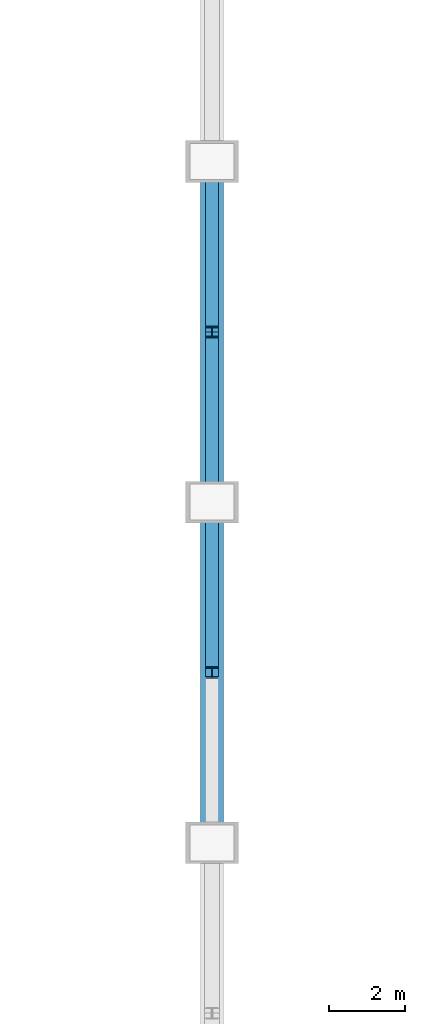
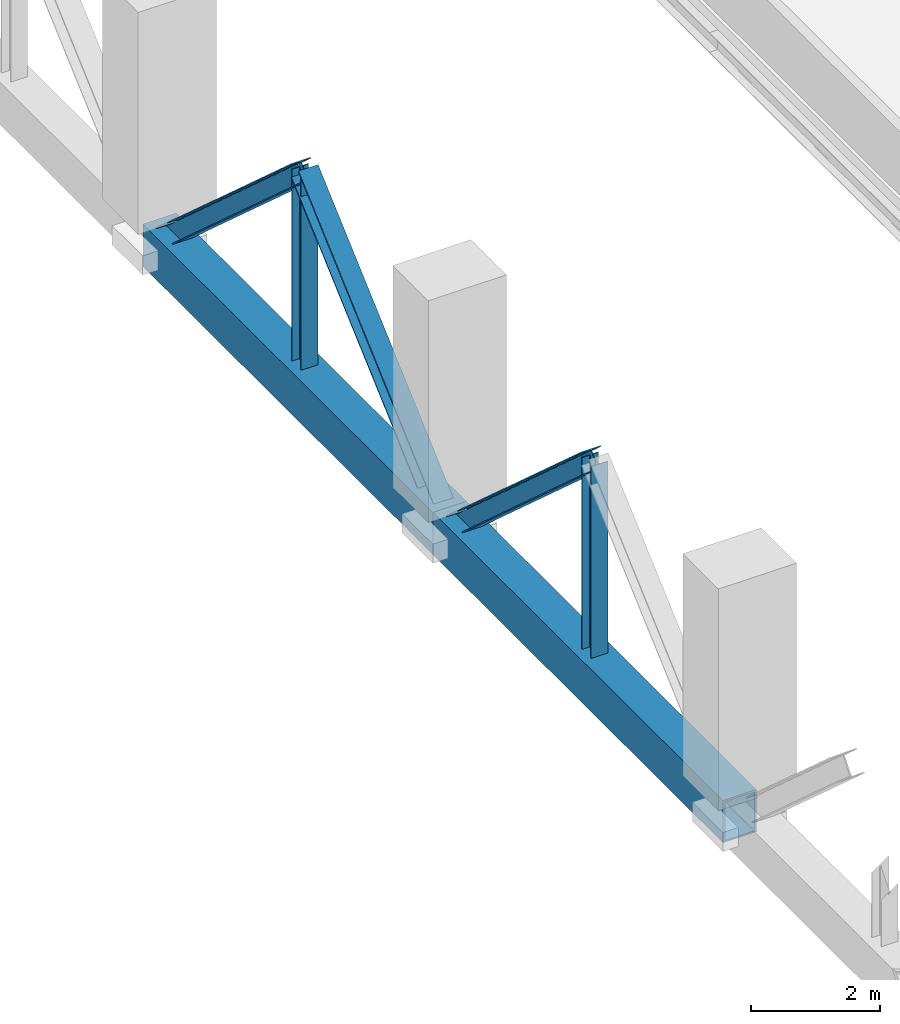
# One storey, part 46 of 136: 5 members, 2 beams.
"""IFC4 building model written with IfcOpenShell, lengths in metres."""

from ifc_helpers import new_model, si_unit, direction, frame, origin, origin_2d, place, context, subcontext, project, spatial, hollow_rectangle, i_section, extrude, material, material_profile, profile_set, type_object, element, save


model = new_model("IFC4")

# Units and contexts
model_context = context("Model", 3, precision=1e-05, world=origin(), true_north=direction((0.0, 1.0)))
body_context = subcontext(model_context, "Body", "Model", "MODEL_VIEW")
ifc_project = project(units=[si_unit("LENGTHUNIT", "METRE"), si_unit("AREAUNIT", "SQUARE_METRE"), si_unit("VOLUMEUNIT", "CUBIC_METRE"), si_unit("PLANEANGLEUNIT", "RADIAN"), si_unit("MASSUNIT", "GRAM", prefix="KILO")], contexts=[model_context])

# Site, building, storey
site_placement = place(None, origin())
site = spatial("IfcSite", under=ifc_project, at=site_placement, CompositionType="ELEMENT")
building_placement = place(site_placement, origin())
building = spatial("IfcBuilding", under=site, at=building_placement, Name="Chuanluo Vaults Station", CompositionType="ELEMENT")
storey_placement = place(building_placement, frame((0.0, 0.0, 6.60009765625)))
storey = spatial("IfcBuildingStorey", under=building, at=storey_placement, Name="L01", CompositionType="ELEMENT", Elevation=6.60009765625)

# Beams
ifc_material_1 = material(Name="Steel Q390C", Category="steel")
ifc_material_profile_1 = material_profile(ifc_material_1, hollow_rectangle(XDim=0.60009765625, YDim=0.800048828125, WallThickness=0.031982421875, at=origin_2d()))
ifc_profile_set_1 = profile_set([ifc_material_profile_1], Name="Steel Q390C")
beam_type = type_object("IfcBeamType", Name="BM-TT-BOT", PredefinedType="USERDEFINED", material=ifc_profile_set_1)
for number, where, z_axis, x_axis, name in (
    (1, (126.0, 76.5, -0.68017578125), (0.0, 1.0, 0.0), (-1.0, 0.0, 0.0), "Transfer truss TT-8 bottom chord 2"),
    (2, (126.0, 85.5, -0.68017578125), (0.0, 1.0, 0.0), (-1.0, 0.0, 0.0), "Transfer truss TT-8 bottom chord 3"),
):
    element("IfcBeam", number, at=place(storey_placement, frame(where, z_axis=z_axis, x_axis=x_axis)), inside=storey, type_object=beam_type, Name=name, ObjectType="GIRDER", PredefinedType="USERDEFINED", context=body_context, shape_type="SweptSolid", body=[
        extrude(hollow_rectangle(XDim=0.60009765625, YDim=0.800048828125, WallThickness=0.031982421875, at=origin_2d()), origin(), (0.0, 0.0, 1.0), 9.0),
    ])

# Members
ifc_material_2 = material(Name="Steel Q390C", Category="steel")
ifc_material_profile_2 = material_profile(ifc_material_2, i_section(OverallWidth=0.35009765625, OverallDepth=0.35009765625, WebThickness=0.011962890625, FlangeThickness=0.01904296875, FilletRadius=0.02001953125, at=origin_2d()))
ifc_profile_set_2 = profile_set([ifc_material_profile_2], Name="Steel Q390C")
member_type_1 = type_object("IfcMemberType", Name="MEM-DIAG-350", PredefinedType="BRACE", material=ifc_profile_set_2)
for number, where, z_axis, x_axis, name in (
    (3, (126.0, 81.0, 3.349853515625), (0.0, 0.744935757439, -0.667136205949), (-1.0, 0.0, 0.0), "Transfer truss TT-8 diagonal 2B"),
    (4, (126.0, 85.5, -0.68017578125), (0.0, 0.744935757439, 0.667136205949), (-1.0, 0.0, 0.0), "Transfer truss TT-8 diagonal 3A"),
    (5, (126.0, 90.0, 3.349853515625), (0.0, 0.744935757439, -0.667136205949), (-1.0, 0.0, 0.0), "Transfer truss TT-8 diagonal 3B"),
):
    element("IfcMember", number, at=place(storey_placement, frame(where, z_axis=z_axis, x_axis=x_axis)), inside=storey, type_object=member_type_1, Name=name, PredefinedType="BRACE", context=body_context, shape_type="SweptSolid", body=[
        extrude(i_section(OverallWidth=0.35009765625, OverallDepth=0.35009765625, WebThickness=0.011962890625, FlangeThickness=0.01904296875, FilletRadius=0.02001953125, at=origin_2d()), origin(), (0.0, 0.0, 1.0), 6.040771484375),
    ])
ifc_material_3 = material(Name="Steel Q390C", Category="steel")
ifc_material_profile_3 = material_profile(ifc_material_3, i_section(OverallWidth=0.300048828125, OverallDepth=0.300048828125, WebThickness=0.010009765625, FlangeThickness=0.014892578125, FilletRadius=0.01806640625, at=origin_2d()))
ifc_profile_set_3 = profile_set([ifc_material_profile_3], Name="Steel Q390C")
member_type_2 = type_object("IfcMemberType", Name="MEM-VERT-300", PredefinedType="POST", material=ifc_profile_set_3)
for number, where, z_axis, x_axis, name in (
    (6, (126.0, 81.0, -0.68017578125), (0.0, 0.0, 1.0), (1.0, 0.0, 0.0), "Transfer truss TT-8 mid-panel hanger 2"),
    (7, (126.0, 90.0, -0.68017578125), (0.0, 0.0, 1.0), (1.0, 0.0, 0.0), "Transfer truss TT-8 mid-panel hanger 3"),
):
    element("IfcMember", number, at=place(storey_placement, frame(where, z_axis=z_axis, x_axis=x_axis)), inside=storey, type_object=member_type_2, Name=name, PredefinedType="POST", context=body_context, shape_type="SweptSolid", body=[
        extrude(i_section(OverallWidth=0.300048828125, OverallDepth=0.300048828125, WebThickness=0.010009765625, FlangeThickness=0.014892578125, FilletRadius=0.01806640625, at=origin_2d()), origin(), (0.0, 0.0, 1.0), 4.030029296875),
    ])

save(model, "model.ifc")
